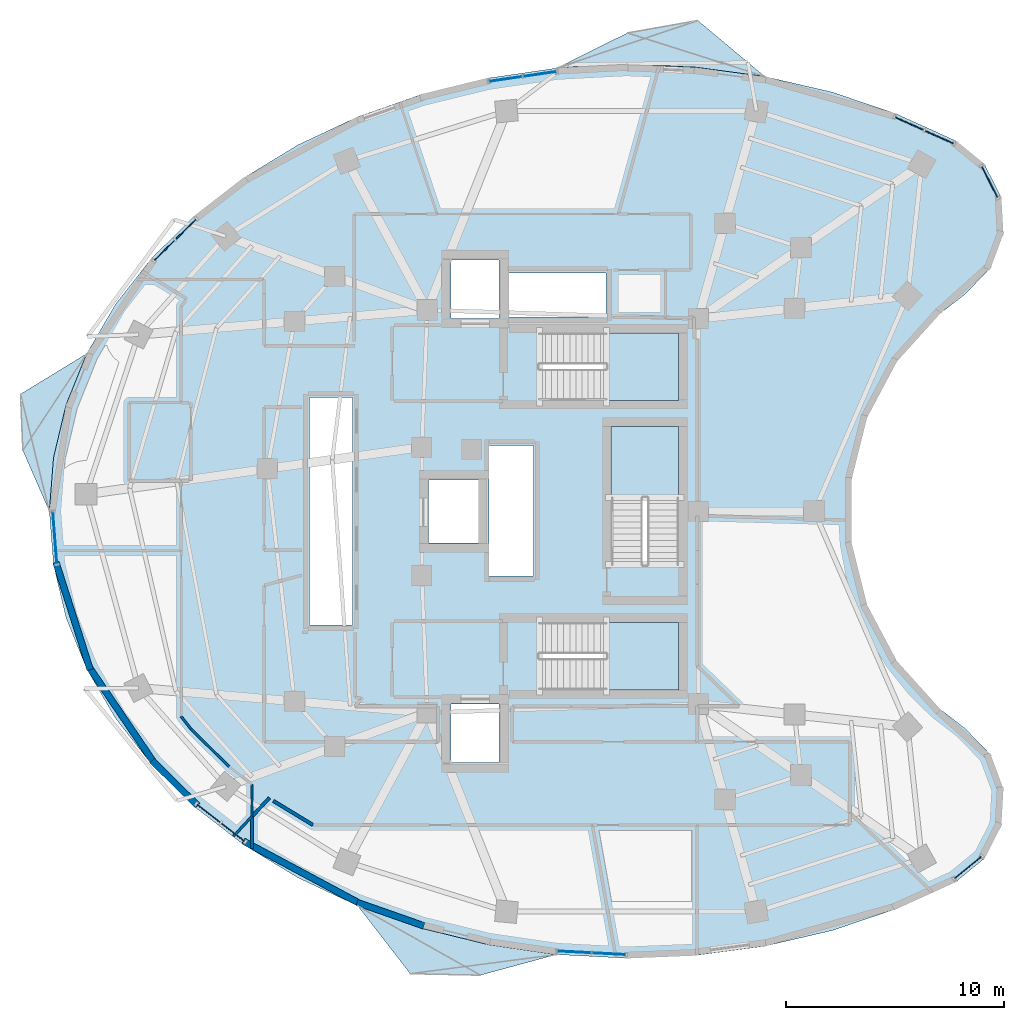
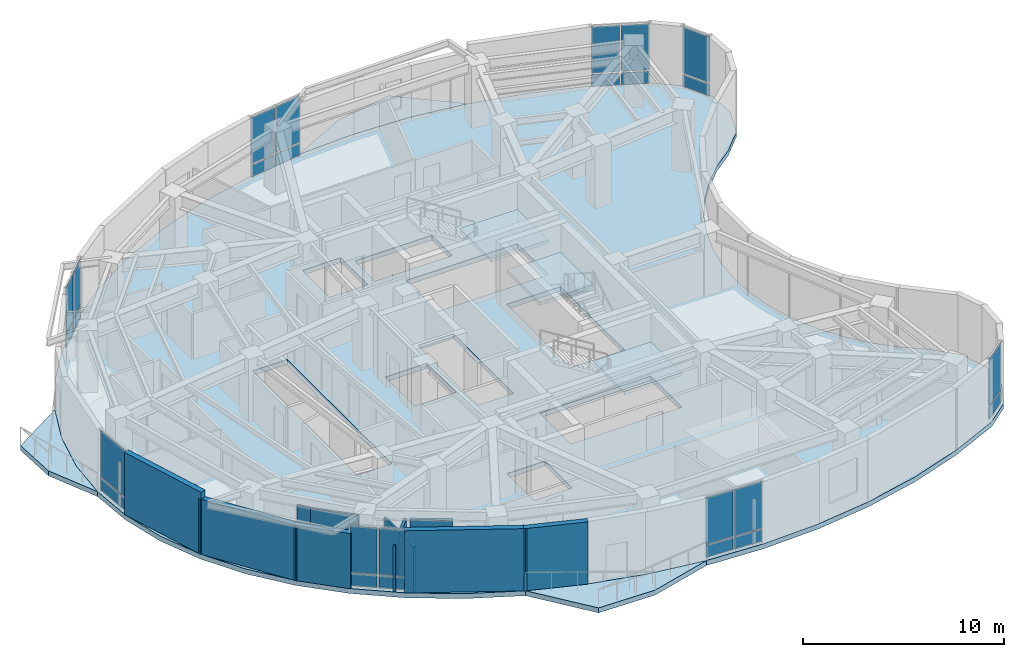
# One storey, part 6 of 13: 26 plates, 12 walls, 7 slabs, 11 elements without a shape of their own.
"""IFC4 building model written with IfcOpenShell, lengths in metres."""

from ifc_helpers import new_model, si_unit, direction, frame, frame_2d, origin, origin_2d, place, context, subcontext, project, spatial, polyline, rectangle, outline, extrude, material, layer, layer_set, type_object, element, aggregate, save


model = new_model("IFC4")

# Units and contexts
model_context = context("Model", 3, precision=1e-05, world=origin(), true_north=direction((0.0, 1.0)))
body_context = subcontext(model_context, "Body", "Model", "MODEL_VIEW")
ifc_project = project(units=[si_unit("LENGTHUNIT", "METRE"), si_unit("AREAUNIT", "SQUARE_METRE"), si_unit("VOLUMEUNIT", "CUBIC_METRE"), si_unit("PLANEANGLEUNIT", "RADIAN"), si_unit("MASSUNIT", "GRAM", prefix="KILO")], contexts=[model_context])

# Site, building, storey
site_placement = place(None, origin())
site = spatial("IfcSite", under=ifc_project, at=site_placement, CompositionType="ELEMENT")
building_placement = place(site_placement, origin())
building = spatial("IfcBuilding", under=site, at=building_placement, Name="Korentha Bioscience Tower", CompositionType="ELEMENT")
storey_placement = place(building_placement, frame((0.0, 0.0, 162.60009765625)))
storey = spatial("IfcBuildingStorey", under=building, at=storey_placement, Name="L37", CompositionType="ELEMENT", Elevation=162.60009765625)

# Curtain wall, plates
ifc_material_1 = material(Name="Thermally Broken Aluminium Frame", Category="aluminium")
ifc_layer_1 = layer(ifc_material_1, 0.219970703125, Name="Thermally Broken Aluminium Frame")
ifc_layer_set_1 = layer_set([ifc_layer_1], Name="Thermally Broken Aluminium Frame (CW-T1)")
curtain_wall_type = type_object("IfcCurtainWallType", Name="Standard Bioscience Lab Unitised Curtain Wall CW-T1", PredefinedType="USERDEFINED", material=ifc_layer_set_1)
curtain_wall_1_placement = place(storey_placement, origin())
curtain_wall_1 = element("IfcCurtainWall", 1, at=curtain_wall_1_placement, inside=storey, type_object=curtain_wall_type, Name="L37 Curtain Wall 01", ObjectType="UNITISED", PredefinedType="USERDEFINED")
ifc_material_2 = material(Name="Triple-Glazed Low-E Insulated Glass", Category="glass")
ifc_layer_2 = layer(ifc_material_2, 0.0439453125, Name="Triple-Glazed Low-E Insulated Glass")
ifc_layer_set_2 = layer_set([ifc_layer_2], Name="Triple-Glazed Low-E Insulated Glass (GL-44)")
plate_type = type_object("IfcPlateType", Name="Glazed Panel 44mm", PredefinedType="CURTAIN_PANEL", material=ifc_layer_set_2)
plate_1_placement = place(storey_placement, frame((48.625732421875, 44.190673828125, 0.08984375), z_axis=(0.0, 0.0, 1.0), x_axis=(-0.910644398392, 0.413190972406, 0.0)))
plate_1 = element("IfcPlate", 2, at=plate_1_placement, type_object=plate_type, Name="CW-L37-01 Bay 1 Glazed Panel 1", PredefinedType="CURTAIN_PANEL", context=body_context, shape_type="SweptSolid", body=[
    extrude(rectangle(XDim=1.422607421875, YDim=0.0439453125, at=origin_2d()), origin(), (0.0, 0.0, 1.0), 0.715087890625),
])
plate_2_placement = place(storey_placement, frame((48.625732421875, 44.190673828125, 0.89501953125), z_axis=(0.0, 0.0, 1.0), x_axis=(-0.910644398392, 0.413190972406, 0.0)))
plate_2 = element("IfcPlate", 3, at=plate_2_placement, type_object=plate_type, Name="CW-L37-01 Bay 1 Glazed Panel 2", PredefinedType="CURTAIN_PANEL", context=body_context, shape_type="SweptSolid", body=[
    extrude(rectangle(XDim=1.422607421875, YDim=0.0439453125, at=origin_2d()), origin(), (0.0, 0.0, 1.0), 2.804931640625),
])
plate_3_placement = place(storey_placement, frame((47.248291015625, 44.815673828125, 0.08984375), z_axis=(0.0, 0.0, 1.0), x_axis=(-0.910644398392, 0.413190972406, 0.0)))
plate_3 = element("IfcPlate", 4, at=plate_3_placement, type_object=plate_type, Name="CW-L37-01 Bay 2 Glazed Panel 1", PredefinedType="CURTAIN_PANEL", context=body_context, shape_type="SweptSolid", body=[
    extrude(rectangle(XDim=1.422607421875, YDim=0.0439453125, at=origin_2d()), origin(), (0.0, 0.0, 1.0), 0.715087890625),
])
plate_4_placement = place(storey_placement, frame((47.248291015625, 44.815673828125, 0.89501953125), z_axis=(0.0, 0.0, 1.0), x_axis=(-0.910644398392, 0.413190972406, 0.0)))
plate_4 = element("IfcPlate", 5, at=plate_4_placement, type_object=plate_type, Name="CW-L37-01 Bay 2 Glazed Panel 2", PredefinedType="CURTAIN_PANEL", context=body_context, shape_type="SweptSolid", body=[
    extrude(rectangle(XDim=1.422607421875, YDim=0.0439453125, at=origin_2d()), origin(), (0.0, 0.0, 1.0), 2.804931640625),
])
aggregate(curtain_wall_1, [plate_1, plate_2, plate_3, plate_4])

curtain_wall_2_placement = place(storey_placement, origin())
curtain_wall_2 = element("IfcCurtainWall", 6, at=curtain_wall_2_placement, inside=storey, type_object=curtain_wall_type, Name="L37 Curtain Wall 07", ObjectType="UNITISED", PredefinedType="USERDEFINED")
plate_5_placement = place(storey_placement, frame((30.27099609375, 47.090087890625, 0.08984375), z_axis=(0.0, 0.0, 1.0), x_axis=(-0.989461919888, -0.144793332342, 0.0)))
plate_5 = element("IfcPlate", 7, at=plate_5_placement, type_object=plate_type, Name="CW-L37-07 Bay 1 Glazed Panel 1", PredefinedType="CURTAIN_PANEL", context=body_context, shape_type="SweptSolid", body=[
    extrude(rectangle(XDim=1.498291015625, YDim=0.0439453125, at=origin_2d()), origin(), (0.0, 0.0, 1.0), 0.715087890625),
])
plate_6_placement = place(storey_placement, frame((30.27099609375, 47.090087890625, 0.89501953125), z_axis=(0.0, 0.0, 1.0), x_axis=(-0.989461919888, -0.144793332342, 0.0)))
plate_6 = element("IfcPlate", 8, at=plate_6_placement, type_object=plate_type, Name="CW-L37-07 Bay 1 Glazed Panel 2", PredefinedType="CURTAIN_PANEL", context=body_context, shape_type="SweptSolid", body=[
    extrude(rectangle(XDim=1.498291015625, YDim=0.0439453125, at=origin_2d()), origin(), (0.0, 0.0, 1.0), 2.804931640625),
])
plate_7_placement = place(storey_placement, frame((28.69921875, 46.860107421875, 0.08984375), z_axis=(0.0, 0.0, 1.0), x_axis=(-0.989461919888, -0.144793332342, 0.0)))
plate_7 = element("IfcPlate", 9, at=plate_7_placement, type_object=plate_type, Name="CW-L37-07 Bay 2 Glazed Panel 1", PredefinedType="CURTAIN_PANEL", context=body_context, shape_type="SweptSolid", body=[
    extrude(rectangle(XDim=1.498291015625, YDim=0.0439453125, at=origin_2d()), origin(), (0.0, 0.0, 1.0), 0.715087890625),
])
plate_8_placement = place(storey_placement, frame((28.69921875, 46.860107421875, 0.89501953125), z_axis=(0.0, 0.0, 1.0), x_axis=(-0.989461919888, -0.144793332342, 0.0)))
plate_8 = element("IfcPlate", 10, at=plate_8_placement, type_object=plate_type, Name="CW-L37-07 Bay 2 Glazed Panel 2", PredefinedType="CURTAIN_PANEL", context=body_context, shape_type="SweptSolid", body=[
    extrude(rectangle(XDim=1.498291015625, YDim=0.0439453125, at=origin_2d()), origin(), (0.0, 0.0, 1.0), 2.804931640625),
])
aggregate(curtain_wall_2, [plate_5, plate_6, plate_7, plate_8])

curtain_wall_3_placement = place(storey_placement, origin())
curtain_wall_3 = element("IfcCurtainWall", 11, at=curtain_wall_3_placement, inside=storey, type_object=curtain_wall_type, Name="L37 Curtain Wall 13", ObjectType="UNITISED", PredefinedType="USERDEFINED")
plate_9_placement = place(storey_placement, frame((14.00830078125, 39.957763671875, 0.08984375), z_axis=(0.0, 0.0, 1.0), x_axis=(-0.711460557971, -0.702726030862, 0.0)))
plate_9 = element("IfcPlate", 12, at=plate_9_placement, type_object=plate_type, Name="CW-L37-13 Bay 1 Glazed Panel 1", PredefinedType="CURTAIN_PANEL", context=body_context, shape_type="SweptSolid", body=[
    extrude(rectangle(XDim=1.290283203125, YDim=0.0439453125, at=origin_2d()), origin(), (0.0, 0.0, 1.0), 0.715087890625),
])
plate_10_placement = place(storey_placement, frame((14.00830078125, 39.957763671875, 0.89501953125), z_axis=(0.0, 0.0, 1.0), x_axis=(-0.711460557971, -0.702726030862, 0.0)))
plate_10 = element("IfcPlate", 13, at=plate_10_placement, type_object=plate_type, Name="CW-L37-13 Bay 1 Glazed Panel 2", PredefinedType="CURTAIN_PANEL", context=body_context, shape_type="SweptSolid", body=[
    extrude(rectangle(XDim=1.290283203125, YDim=0.0439453125, at=origin_2d()), origin(), (0.0, 0.0, 1.0), 2.804931640625),
])
plate_11_placement = place(storey_placement, frame((13.0263671875, 38.98779296875, 0.08984375), z_axis=(0.0, 0.0, 1.0), x_axis=(-0.711460557971, -0.702726030862, 0.0)))
plate_11 = element("IfcPlate", 14, at=plate_11_placement, type_object=plate_type, Name="CW-L37-13 Bay 2 Glazed Panel 1", PredefinedType="CURTAIN_PANEL", context=body_context, shape_type="SweptSolid", body=[
    extrude(rectangle(XDim=1.290283203125, YDim=0.0439453125, at=origin_2d()), origin(), (0.0, 0.0, 1.0), 0.715087890625),
])
plate_12_placement = place(storey_placement, frame((13.0263671875, 38.98779296875, 0.89501953125), z_axis=(0.0, 0.0, 1.0), x_axis=(-0.711460557971, -0.702726030862, 0.0)))
plate_12 = element("IfcPlate", 15, at=plate_12_placement, type_object=plate_type, Name="CW-L37-13 Bay 2 Glazed Panel 2", PredefinedType="CURTAIN_PANEL", context=body_context, shape_type="SweptSolid", body=[
    extrude(rectangle(XDim=1.290283203125, YDim=0.0439453125, at=origin_2d()), origin(), (0.0, 0.0, 1.0), 2.804931640625),
])
aggregate(curtain_wall_3, [plate_9, plate_10, plate_11, plate_12])

curtain_wall_4_placement = place(storey_placement, origin())
curtain_wall_4 = element("IfcCurtainWall", 16, at=curtain_wall_4_placement, inside=storey, type_object=curtain_wall_type, Name="L37 Curtain Wall 19", ObjectType="UNITISED", PredefinedType="USERDEFINED")
plate_13_placement = place(storey_placement, frame((7.991943359375, 25.781005859375, 0.08984375), z_axis=(0.0, 0.0, 1.0), x_axis=(0.078030772566, -0.996950950916, 0.0)))
plate_13 = element("IfcPlate", 17, at=plate_13_placement, type_object=plate_type, Name="CW-L37-19 Bay 1 Glazed Panel 1", PredefinedType="CURTAIN_PANEL", context=body_context, shape_type="SweptSolid", body=[
    extrude(rectangle(XDim=2.370361328125, YDim=0.0439453125, at=origin_2d()), origin(), (0.0, 0.0, 1.0), 0.715087890625),
])
plate_14_placement = place(storey_placement, frame((7.991943359375, 25.781005859375, 0.89501953125), z_axis=(0.0, 0.0, 1.0), x_axis=(0.078030772566, -0.996950950916, 0.0)))
plate_14 = element("IfcPlate", 18, at=plate_14_placement, type_object=plate_type, Name="CW-L37-19 Bay 1 Glazed Panel 2", PredefinedType="CURTAIN_PANEL", context=body_context, shape_type="SweptSolid", body=[
    extrude(rectangle(XDim=2.370361328125, YDim=0.0439453125, at=origin_2d()), origin(), (0.0, 0.0, 1.0), 2.804931640625),
])
aggregate(curtain_wall_4, [plate_13, plate_14])

curtain_wall_5_placement = place(storey_placement, origin())
curtain_wall_5 = element("IfcCurtainWall", 19, at=curtain_wall_5_placement, inside=storey, type_object=curtain_wall_type, Name="L37 Curtain Wall 25", ObjectType="UNITISED", PredefinedType="USERDEFINED")
plate_15_placement = place(storey_placement, frame((15.0556640625, 13.126953125, 0.08984375), z_axis=(0.0, 0.0, 1.0), x_axis=(0.790546796919, -0.612401634454, 0.0)))
plate_15 = element("IfcPlate", 20, at=plate_15_placement, type_object=plate_type, Name="CW-L37-25 Bay 1 Glazed Panel 1", PredefinedType="CURTAIN_PANEL", context=body_context, shape_type="SweptSolid", body=[
    extrude(rectangle(XDim=1.3349609375, YDim=0.0439453125, at=origin_2d()), origin(), (0.0, 0.0, 1.0), 0.715087890625),
])
plate_16_placement = place(storey_placement, frame((15.0556640625, 13.126953125, 0.89501953125), z_axis=(0.0, 0.0, 1.0), x_axis=(0.790546796919, -0.612401634454, 0.0)))
plate_16 = element("IfcPlate", 21, at=plate_16_placement, type_object=plate_type, Name="CW-L37-25 Bay 1 Glazed Panel 2", PredefinedType="CURTAIN_PANEL", context=body_context, shape_type="SweptSolid", body=[
    extrude(rectangle(XDim=1.3349609375, YDim=0.0439453125, at=origin_2d()), origin(), (0.0, 0.0, 1.0), 2.804931640625),
])
plate_17_placement = place(storey_placement, frame((16.18212890625, 12.25439453125, 0.08984375), z_axis=(0.0, 0.0, 1.0), x_axis=(0.790546796919, -0.612401634454, 0.0)))
plate_17 = element("IfcPlate", 22, at=plate_17_placement, type_object=plate_type, Name="CW-L37-25 Bay 2 Glazed Panel 1", PredefinedType="CURTAIN_PANEL", context=body_context, shape_type="SweptSolid", body=[
    extrude(rectangle(XDim=1.3349609375, YDim=0.0439453125, at=origin_2d()), origin(), (0.0, 0.0, 1.0), 0.715087890625),
])
plate_18_placement = place(storey_placement, frame((16.18212890625, 12.25439453125, 0.89501953125), z_axis=(0.0, 0.0, 1.0), x_axis=(0.790546796919, -0.612401634454, 0.0)))
plate_18 = element("IfcPlate", 23, at=plate_18_placement, type_object=plate_type, Name="CW-L37-25 Bay 2 Glazed Panel 2", PredefinedType="CURTAIN_PANEL", context=body_context, shape_type="SweptSolid", body=[
    extrude(rectangle(XDim=1.3349609375, YDim=0.0439453125, at=origin_2d()), origin(), (0.0, 0.0, 1.0), 2.804931640625),
])
aggregate(curtain_wall_5, [plate_15, plate_16, plate_17, plate_18])

curtain_wall_6_placement = place(storey_placement, origin())
curtain_wall_6 = element("IfcCurtainWall", 24, at=curtain_wall_6_placement, inside=storey, type_object=curtain_wall_type, Name="L37 Curtain Wall 31", ObjectType="UNITISED", PredefinedType="USERDEFINED")
plate_19_placement = place(storey_placement, frame((31.849853515625, 6.75390625, 0.08984375), z_axis=(0.0, 0.0, 1.0), x_axis=(0.998637677307, -0.052180355139, 0.0)))
plate_19 = element("IfcPlate", 25, at=plate_19_placement, type_object=plate_type, Name="CW-L37-31 Bay 1 Glazed Panel 1", PredefinedType="CURTAIN_PANEL", context=body_context, shape_type="SweptSolid", body=[
    extrude(rectangle(XDim=1.50830078125, YDim=0.0439453125, at=origin_2d()), origin(), (0.0, 0.0, 1.0), 0.715087890625),
])
plate_20_placement = place(storey_placement, frame((31.849853515625, 6.75390625, 0.89501953125), z_axis=(0.0, 0.0, 1.0), x_axis=(0.998637677307, -0.052180355139, 0.0)))
plate_20 = element("IfcPlate", 26, at=plate_20_placement, type_object=plate_type, Name="CW-L37-31 Bay 1 Glazed Panel 2", PredefinedType="CURTAIN_PANEL", context=body_context, shape_type="SweptSolid", body=[
    extrude(rectangle(XDim=1.50830078125, YDim=0.0439453125, at=origin_2d()), origin(), (0.0, 0.0, 1.0), 2.804931640625),
])
plate_21_placement = place(storey_placement, frame((33.446044921875, 6.67041015625, 0.08984375), z_axis=(0.0, 0.0, 1.0), x_axis=(0.998637677307, -0.052180355139, 0.0)))
plate_21 = element("IfcPlate", 27, at=plate_21_placement, type_object=plate_type, Name="CW-L37-31 Bay 2 Glazed Panel 1", PredefinedType="CURTAIN_PANEL", context=body_context, shape_type="SweptSolid", body=[
    extrude(rectangle(XDim=1.50830078125, YDim=0.0439453125, at=origin_2d()), origin(), (0.0, 0.0, 1.0), 0.715087890625),
])
plate_22_placement = place(storey_placement, frame((33.446044921875, 6.67041015625, 0.89501953125), z_axis=(0.0, 0.0, 1.0), x_axis=(0.998637677307, -0.052180355139, 0.0)))
plate_22 = element("IfcPlate", 28, at=plate_22_placement, type_object=plate_type, Name="CW-L37-31 Bay 2 Glazed Panel 2", PredefinedType="CURTAIN_PANEL", context=body_context, shape_type="SweptSolid", body=[
    extrude(rectangle(XDim=1.50830078125, YDim=0.0439453125, at=origin_2d()), origin(), (0.0, 0.0, 1.0), 2.804931640625),
])
aggregate(curtain_wall_6, [plate_19, plate_20, plate_21, plate_22])

curtain_wall_7_placement = place(storey_placement, origin())
curtain_wall_7 = element("IfcCurtainWall", 29, at=curtain_wall_7_placement, inside=storey, type_object=curtain_wall_type, Name="L37 Curtain Wall 37", ObjectType="UNITISED", PredefinedType="USERDEFINED")
plate_23_placement = place(storey_placement, frame((49.938720703125, 10.637451171875, 0.08984375), z_axis=(0.0, 0.0, 1.0), x_axis=(0.77425646139, 0.632871971251, 0.0)))
plate_23 = element("IfcPlate", 30, at=plate_23_placement, type_object=plate_type, Name="CW-L37-37 Bay 1 Glazed Panel 1", PredefinedType="CURTAIN_PANEL", context=body_context, shape_type="SweptSolid", body=[
    extrude(rectangle(XDim=1.591796875, YDim=0.0439453125, at=origin_2d()), origin(), (0.0, 0.0, 1.0), 0.715087890625),
])
plate_24_placement = place(storey_placement, frame((49.938720703125, 10.637451171875, 0.89501953125), z_axis=(0.0, 0.0, 1.0), x_axis=(0.77425646139, 0.632871971251, 0.0)))
plate_24 = element("IfcPlate", 31, at=plate_24_placement, type_object=plate_type, Name="CW-L37-37 Bay 1 Glazed Panel 2", PredefinedType="CURTAIN_PANEL", context=body_context, shape_type="SweptSolid", body=[
    extrude(rectangle(XDim=1.591796875, YDim=0.0439453125, at=origin_2d()), origin(), (0.0, 0.0, 1.0), 2.804931640625),
])
aggregate(curtain_wall_7, [plate_23, plate_24])

curtain_wall_8_placement = place(storey_placement, origin())
curtain_wall_8 = element("IfcCurtainWall", 32, at=curtain_wall_8_placement, inside=storey, type_object=curtain_wall_type, Name="L37 Curtain Wall 61", ObjectType="UNITISED", PredefinedType="USERDEFINED")
plate_25_placement = place(storey_placement, frame((50.936767578125, 42.124755859375, 0.08984375), z_axis=(0.0, 0.0, 1.0), x_axis=(-0.45428845847, 0.890854643868, 0.0)))
plate_25 = element("IfcPlate", 33, at=plate_25_placement, type_object=plate_type, Name="CW-L37-61 Bay 1 Glazed Panel 1", PredefinedType="CURTAIN_PANEL", context=body_context, shape_type="SweptSolid", body=[
    extrude(rectangle(XDim=1.591796875, YDim=0.0439453125, at=origin_2d()), origin(), (0.0, 0.0, 1.0), 0.715087890625),
])
plate_26_placement = place(storey_placement, frame((50.936767578125, 42.124755859375, 0.89501953125), z_axis=(0.0, 0.0, 1.0), x_axis=(-0.45428845847, 0.890854643868, 0.0)))
plate_26 = element("IfcPlate", 34, at=plate_26_placement, type_object=plate_type, Name="CW-L37-61 Bay 1 Glazed Panel 2", PredefinedType="CURTAIN_PANEL", context=body_context, shape_type="SweptSolid", body=[
    extrude(rectangle(XDim=1.591796875, YDim=0.0439453125, at=origin_2d()), origin(), (0.0, 0.0, 1.0), 2.804931640625),
])
aggregate(curtain_wall_8, [plate_25, plate_26])

# Slab
ifc_material_3 = material(Name="Concrete C50", Category="concrete")
ifc_layer_3 = layer(ifc_material_3, 0.300048828125, Name="Concrete C50")
ifc_layer_set_3 = layer_set([ifc_layer_3], Name="Concrete C50 (SL-L300)")
slab_type_1 = type_object("IfcSlabType", Name="Laboratory Vibration-Controlled Slab 300", PredefinedType="FLOOR", material=ifc_layer_set_3)
slab_1_placement = place(storey_placement, frame((0.0, 0.0, -0.300048828125)))
element("IfcSlab", 35, at=slab_1_placement, inside=storey, type_object=slab_type_1, Name="L37 Tower Structural Floor Slab", PredefinedType="FLOOR", context=body_context, shape_type="SweptSolid", body=[
    extrude(outline(polyline([(49.38525390625, 44.021728515625), (46.62109375, 45.27587890625), (43.681396484375, 46.266357421875), (40.608154296875, 46.978515625), (37.446044921875, 47.40234375), (34.24072265625, 47.531494140625), (31.038330078125, 47.364013671875), (27.88525390625, 46.902587890625), (24.826904296875, 46.154052734375), (21.907470703125, 45.128662109375), (19.169189453125, 43.841552734375), (16.6513671875, 42.311279296875), (14.390380859375, 40.56005859375), (12.419189453125, 38.613037109375), (10.76611328125, 36.498291015625), (9.454833984375, 34.246337890625), (8.504638671875, 31.889892578125), (7.9287109375, 29.462646484375), (7.736083984375, 27.0), (7.9287109375, 24.537353515625), (8.504638671875, 22.110107421875), (9.454833984375, 19.753662109375), (10.76611328125, 17.501708984375), (12.419189453125, 15.386962890625), (14.390380859375, 13.43994140625), (16.6513671875, 11.688720703125), (19.169189453125, 10.158447265625), (21.907470703125, 8.871337890625), (24.826904296875, 7.845947265625), (27.88525390625, 7.097412109375), (31.038330078125, 6.635986328125), (34.24072265625, 6.468505859375), (37.446044921875, 6.59765625), (40.608154296875, 7.021484375), (43.681396484375, 7.733642578125), (46.62109375, 8.72412109375), (49.38525390625, 9.978271484375), (50.695068359375, 11.048828125), (51.46337890625, 12.55615234375), (51.560791015625, 14.2451171875), (50.970458984375, 15.83056640625), (49.792236328125, 17.044677734375), (48.629150390625, 17.937255859375), (47.583251953125, 18.96484375), (46.670654296875, 20.1123046875), (45.904541015625, 21.3623046875), (45.29638671875, 22.696533203125), (44.855712890625, 24.094970703125), (44.58837890625, 25.53662109375), (44.498779296875, 27.0), (44.58837890625, 28.46337890625), (44.855712890625, 29.905029296875), (45.29638671875, 31.303466796875), (45.904541015625, 32.6376953125), (46.670654296875, 33.8876953125), (47.583251953125, 35.03515625), (48.629150390625, 36.062744140625), (49.792236328125, 36.955322265625), (50.970458984375, 38.16943359375), (51.560791015625, 39.7548828125), (51.46337890625, 41.44384765625), (50.695068359375, 42.951171875), (49.38525390625, 44.021728515625)]), holes=[polyline([(30.25, 32.10009765625), (36.64990234375, 32.10009765625), (36.64990234375, 35.199951171875), (30.25, 35.199951171875), (30.25, 32.10009765625)]), polyline([(30.25, 18.800048828125), (36.64990234375, 18.800048828125), (36.64990234375, 21.89990234375), (30.25, 21.89990234375), (30.25, 18.800048828125)]), polyline([(36.64990234375, 24.550048828125), (36.64990234375, 30.89990234375), (33.550048828125, 30.89990234375), (33.550048828125, 24.550048828125), (36.64990234375, 24.550048828125)]), polyline([(19.679931640625, 21.780029296875), (21.669921875, 21.780029296875), (21.669921875, 32.219970703125), (19.679931640625, 32.219970703125), (19.679931640625, 21.780029296875)]), polyline([(27.929931640625, 24.030029296875), (29.969970703125, 24.030029296875), (29.969970703125, 30.02001953125), (27.929931640625, 30.02001953125), (27.929931640625, 24.030029296875)]), polyline([(28.860107421875, 35.93994140625), (33.31005859375, 35.93994140625), (33.31005859375, 37.9599609375), (28.860107421875, 37.9599609375), (28.860107421875, 35.93994140625)]), polyline([(26.199951171875, 15.449951171875), (28.39990234375, 15.449951171875), (28.39990234375, 18.14990234375), (26.199951171875, 18.14990234375), (26.199951171875, 15.449951171875)]), polyline([(26.199951171875, 35.85009765625), (28.39990234375, 35.85009765625), (28.39990234375, 38.550048828125), (26.199951171875, 38.550048828125), (26.199951171875, 35.85009765625)]), polyline([(25.14990234375, 25.550048828125), (27.550048828125, 25.550048828125), (27.550048828125, 28.449951171875), (25.14990234375, 28.449951171875), (25.14990234375, 25.550048828125)])]), origin(), (0.0, 0.0, 1.0), 0.300048828125),
])

# Stair, slab
ifc_material_4 = material(Name="Precast Concrete C50", Category="concrete")
stair_type = type_object("IfcStairType", Name="Core Exit Dog-Leg Stair 1450", PredefinedType="HALF_TURN_STAIR", material=ifc_material_4)
stair_1_placement = place(storey_placement, origin())
stair_1 = element("IfcStair", 36, at=stair_1_placement, inside=storey, type_object=stair_type, Name="L37 Tower North Pressurized Exit Stair ST-1", PredefinedType="HALF_TURN_STAIR")
ifc_layer_4 = layer(ifc_material_3, 0.199951171875, Name="Concrete C50")
ifc_layer_set_4 = layer_set([ifc_layer_4], Name="Concrete C50 (SL-LND)")
slab_type_2 = type_object("IfcSlabType", Name="Landing Slab 200", PredefinedType="LANDING", material=ifc_layer_set_4)
slab_2_placement = place(storey_placement, frame((0.0, 0.0, 1.89990234375)))
slab_2 = element("IfcSlab", 37, at=slab_2_placement, type_object=slab_type_2, Name="ST-1 landing 1", PredefinedType="LANDING", context=body_context, shape_type="SweptSolid", body=[
    extrude(outline(polyline([(33.330078125, 32.10009765625), (36.64990234375, 32.10009765625), (36.64990234375, 35.199951171875), (33.330078125, 35.199951171875), (33.330078125, 32.10009765625)])), origin(), (0.0, 0.0, 1.0), 0.199951171875),
])
aggregate(stair_1, [slab_2])

stair_2_placement = place(storey_placement, origin())
stair_2 = element("IfcStair", 38, at=stair_2_placement, inside=storey, type_object=stair_type, Name="L37 Tower South Pressurized Exit Stair ST-2", PredefinedType="HALF_TURN_STAIR")
slab_3_placement = place(storey_placement, frame((0.0, 0.0, 1.89990234375)))
slab_3 = element("IfcSlab", 39, at=slab_3_placement, type_object=slab_type_2, Name="ST-2 landing 1", PredefinedType="LANDING", context=body_context, shape_type="SweptSolid", body=[
    extrude(outline(polyline([(33.330078125, 18.800048828125), (36.64990234375, 18.800048828125), (36.64990234375, 21.89990234375), (33.330078125, 21.89990234375), (33.330078125, 18.800048828125)])), origin(), (0.0, 0.0, 1.0), 0.199951171875),
])
aggregate(stair_2, [slab_3])

stair_3_placement = place(storey_placement, origin())
stair_3 = element("IfcStair", 40, at=stair_3_placement, inside=storey, type_object=stair_type, Name="L37 Tower Central Pressurized Exit Stair ST-3", PredefinedType="HALF_TURN_STAIR")
slab_4_placement = place(storey_placement, frame((0.0, 0.0, 1.89990234375)))
slab_4 = element("IfcSlab", 41, at=slab_4_placement, type_object=slab_type_2, Name="ST-3 landing 1", PredefinedType="LANDING", context=body_context, shape_type="SweptSolid", body=[
    extrude(outline(polyline([(36.64990234375, 27.6298828125), (36.64990234375, 30.89990234375), (33.550048828125, 30.89990234375), (33.550048828125, 27.6298828125), (36.64990234375, 27.6298828125)])), origin(), (0.0, 0.0, 1.0), 0.199951171875),
])
aggregate(stair_3, [slab_4])

# Slabs
ifc_layer_5 = layer(ifc_material_3, 0.300048828125, Name="Concrete C50")
ifc_layer_set_5 = layer_set([ifc_layer_5], Name="Concrete C50 (BS-240)")
slab_type_3 = type_object("IfcSlabType", Name="Sawtooth Sun-Ledge Balcony Slab 240", PredefinedType="USERDEFINED", material=ifc_layer_set_5)
slab_5_placement = place(storey_placement, frame((0.0, 0.0, -0.300048828125)))
element("IfcSlab", 42, at=slab_5_placement, inside=storey, type_object=slab_type_3, Name="L37 Sun-Ledge Balcony 01", ObjectType="BALCONY", PredefinedType="USERDEFINED", context=body_context, shape_type="SweptSolid", body=[
    extrude(outline(polyline([(31.038330078125, 47.364013671875), (34.24072265625, 47.531494140625), (37.446044921875, 47.40234375), (40.608154296875, 46.978515625), (37.53271484375, 49.550537109375), (34.29931640625, 48.980224609375), (31.038330078125, 47.364013671875)])), origin(), (0.0, 0.0, 1.0), 0.300048828125),
])
slab_6_placement = place(storey_placement, frame((0.0, 0.0, -0.300048828125)))
element("IfcSlab", 43, at=slab_6_placement, inside=storey, type_object=slab_type_3, Name="L37 Sun-Ledge Balcony 02", ObjectType="BALCONY", PredefinedType="USERDEFINED", context=body_context, shape_type="SweptSolid", body=[
    extrude(outline(polyline([(7.736083984375, 27.0), (7.9287109375, 29.462646484375), (8.504638671875, 31.889892578125), (9.454833984375, 34.246337890625), (6.41259765625, 32.385986328125), (6.517822265625, 29.79736328125), (7.736083984375, 27.0)])), origin(), (0.0, 0.0, 1.0), 0.300048828125),
])
slab_7_placement = place(storey_placement, frame((0.0, 0.0, -0.300048828125)))
element("IfcSlab", 44, at=slab_7_placement, inside=storey, type_object=slab_type_3, Name="L37 Sun-Ledge Balcony 03", ObjectType="BALCONY", PredefinedType="USERDEFINED", context=body_context, shape_type="SweptSolid", body=[
    extrude(outline(polyline([(31.038330078125, 6.635986328125), (27.88525390625, 7.097412109375), (24.826904296875, 7.845947265625), (21.907470703125, 8.871337890625), (24.315673828125, 5.7578125), (27.54052734375, 5.68896484375), (31.038330078125, 6.635986328125)])), origin(), (0.0, 0.0, 1.0), 0.300048828125),
])

# Walls
ifc_material_5 = material(Name="Double-Stud Acoustic Gypsum", Category="gypsum")
ifc_layer_6 = layer(ifc_material_5, 0.14990234375, Name="Double-Stud Acoustic Gypsum")
ifc_layer_set_6 = layer_set([ifc_layer_6], Name="Double-Stud Acoustic Gypsum (IW-L150)")
wall_type_1 = type_object("IfcWallType", Name="Acoustic Laboratory Partition Wall 150", PredefinedType="PARTITIONING", material=ifc_layer_set_6)
wall_1_placement = place(storey_placement, frame((18.03125, 13.693603515625, 0.0), z_axis=(0.0, 0.0, 1.0), x_axis=(0.85454497186, -0.51937740716, 0.0)))
element("IfcWall", 45, at=wall_1_placement, inside=storey, type_object=wall_type_1, Name="L37 Interior Partition 036", PredefinedType="PARTITIONING", context=body_context, shape_type="SweptSolid", body=[
    extrude(rectangle(XDim=2.121826171875, YDim=0.14990234375, at=frame_2d((1.06103515625, 0.0))), origin(), (0.0, 0.0, 1.0), 2.7998046875),
])
wall_2_placement = place(storey_placement, frame((17.052001953125, 11.514404296875, 0.0), z_axis=(0.0, 0.0, 1.0), x_axis=(0.0, 1.0, 0.0)))
element("IfcWall", 46, at=wall_2_placement, inside=storey, type_object=wall_type_1, Name="L37 Interior Partition 038", PredefinedType="PARTITIONING", context=body_context, shape_type="SweptSolid", body=[
    extrude(rectangle(XDim=1.459716796875, YDim=0.14990234375, at=frame_2d((0.72998046875, 0.0))), origin(), (0.0, 0.0, 1.0), 2.7998046875),
])
wall_3_placement = place(storey_placement, frame((17.05810546875, 12.989501953125, 0.0), z_axis=(0.0, 0.0, 1.0), x_axis=(0.681994997266, 0.731356837464, 0.0)))
element("IfcWall", 47, at=wall_3_placement, inside=storey, type_object=wall_type_1, Name="L37 Interior Partition 039", PredefinedType="PARTITIONING", context=body_context, shape_type="SweptSolid", body=[
    extrude(rectangle(XDim=1.157470703125, YDim=0.14990234375, at=frame_2d((0.57861328125, 0.0))), origin(), (0.0, 0.0, 1.0), 2.7998046875),
])
ifc_material_6 = material(Name="Fire-Rated Framed Glass", Category="glass")
ifc_layer_7 = layer(ifc_material_6, 0.110107421875, Name="Fire-Rated Framed Glass")
ifc_layer_set_7 = layer_set([ifc_layer_7], Name="Fire-Rated Framed Glass (IW-G110)")
wall_type_2 = type_object("IfcWallType", Name="Demountable Glazed Office Partition 110", PredefinedType="MOVABLE", material=ifc_layer_set_7)
wall_4_placement = place(storey_placement, frame((13.7919921875, 17.576416015625, 0.0), z_axis=(0.0, 0.0, 1.0), x_axis=(0.615925776879, -0.787804187204, 0.0)))
element("IfcWall", 48, at=wall_4_placement, inside=storey, type_object=wall_type_2, Name="L37 Interior Partition 023", PredefinedType="MOVABLE", context=body_context, shape_type="SweptSolid", body=[
    extrude(rectangle(XDim=0.722900390625, YDim=0.110107421875, at=frame_2d((0.361328125, 0.0))), origin(), (0.0, 0.0, 1.0), 2.7998046875),
])
wall_5_placement = place(storey_placement, frame((14.23828125, 17.005859375, 0.0), z_axis=(0.0, 0.0, 1.0), x_axis=(0.711447157113, -0.702739598027, 0.0)))
element("IfcWall", 49, at=wall_5_placement, inside=storey, type_object=wall_type_2, Name="L37 Interior Partition 024", PredefinedType="MOVABLE", context=body_context, shape_type="SweptSolid", body=[
    extrude(rectangle(XDim=2.46728515625, YDim=0.110107421875, at=frame_2d((1.233642578125, 0.0))), origin(), (0.0, 0.0, 1.0), 2.7998046875),
])
wall_6_placement = place(storey_placement, frame((17.048095703125, 14.455078125, 0.0), z_axis=(0.0, 0.0, 1.0), x_axis=(0.0, -1.0, 0.0)))
element("IfcWall", 50, at=wall_6_placement, inside=storey, type_object=wall_type_2, Name="L37 Interior Partition 026", PredefinedType="MOVABLE", context=body_context, shape_type="SweptSolid", body=[
    extrude(rectangle(XDim=1.470458984375, YDim=0.110107421875, at=frame_2d((0.7353515625, 0.0))), origin(), (0.0, 0.0, 1.0), 2.7998046875),
])
wall_7_placement = place(storey_placement, frame((17.0478515625, 12.984375, 0.0), z_axis=(0.0, 0.0, 1.0), x_axis=(-0.681894093702, -0.731450917679, 0.0)))
element("IfcWall", 51, at=wall_7_placement, inside=storey, type_object=wall_type_2, Name="L37 Interior Partition 027", PredefinedType="MOVABLE", context=body_context, shape_type="SweptSolid", body=[
    extrude(rectangle(XDim=1.251220703125, YDim=0.110107421875, at=frame_2d((0.62548828125, 0.0))), origin(), (0.0, 0.0, 1.0), 2.7998046875),
])
ifc_material_7 = material(Name="Honed Limestone Precast Concrete C40", Category="masonry")
ifc_layer_8 = layer(ifc_material_7, 0.300048828125, Name="Honed Limestone Precast Concrete C40")
ifc_layer_set_8 = layer_set([ifc_layer_8], Name="Honed Limestone Precast Concrete C40 (EW-ST300)")
wall_type_3 = type_object("IfcWallType", Name="Honed Limestone Cavity Spandrel Wall 300", PredefinedType="STANDARD", material=ifc_layer_set_8)
wall_8_placement = place(storey_placement, frame((8.037841796875, 24.656005859375, 0.0), z_axis=(0.0, 0.0, 1.0), x_axis=(0.303930984078, -0.952694052106, 0.0)))
element("IfcWall", 52, at=wall_8_placement, inside=storey, type_object=wall_type_3, Name="L37 Limestone Perimeter Closure Wall 20", PredefinedType="STANDARD", context=body_context, shape_type="SweptSolid", body=[
    extrude(rectangle(XDim=5.18115234375, YDim=0.300048828125, at=frame_2d((2.590576171875, 0.0))), origin(), (0.0, 0.0, 1.0), 3.789794921875),
])
wall_9_placement = place(storey_placement, frame((9.52587890625, 19.8984375, 0.0), z_axis=(0.0, 0.0, 1.0), x_axis=(0.561663900064, -0.827365495634, 0.0)))
element("IfcWall", 53, at=wall_9_placement, inside=storey, type_object=wall_type_3, Name="L37 Limestone Perimeter Closure Wall 22", PredefinedType="STANDARD", context=body_context, shape_type="SweptSolid", body=[
    extrude(rectangle(XDim=5.437744140625, YDim=0.300048828125, at=frame_2d((2.71875, 0.0))), origin(), (0.0, 0.0, 1.0), 3.35986328125),
])
wall_10_placement = place(storey_placement, frame((12.460693359375, 15.542724609375, 0.0), z_axis=(0.0, 0.0, 1.0), x_axis=(0.711508162911, -0.702677830951, 0.0)))
element("IfcWall", 54, at=wall_10_placement, inside=storey, type_object=wall_type_3, Name="L37 Limestone Perimeter Closure Wall 24", PredefinedType="STANDARD", context=body_context, shape_type="SweptSolid", body=[
    extrude(rectangle(XDim=2.9306640625, YDim=0.300048828125, at=frame_2d((1.46533203125, 0.0))), origin(), (0.0, 0.0, 1.0), 3.35986328125),
])
wall_11_placement = place(storey_placement, frame((16.64697265625, 11.849853515625, 0.0), z_axis=(0.0, 0.0, 1.0), x_axis=(0.881364369565, -0.472437136624, 0.0)))
element("IfcWall", 55, at=wall_11_placement, inside=storey, type_object=wall_type_3, Name="L37 Limestone Perimeter Closure Wall 26", PredefinedType="STANDARD", context=body_context, shape_type="SweptSolid", body=[
    extrude(rectangle(XDim=6.123779296875, YDim=0.300048828125, at=frame_2d((3.06201171875, 0.0))), origin(), (0.0, 0.0, 1.0), 3.789794921875),
])
wall_12_placement = place(storey_placement, frame((21.87841796875, 9.02978515625, 0.0), z_axis=(0.0, 0.0, 1.0), x_axis=(0.94352100271, -0.331312718509, 0.0)))
element("IfcWall", 56, at=wall_12_placement, inside=storey, type_object=wall_type_3, Name="L37 Limestone Perimeter Closure Wall 28", PredefinedType="STANDARD", context=body_context, shape_type="SweptSolid", body=[
    extrude(rectangle(XDim=3.254150390625, YDim=0.300048828125, at=frame_2d((1.626953125, 0.0))), origin(), (0.0, 0.0, 1.0), 3.789794921875),
])

save(model, "model.ifc")
